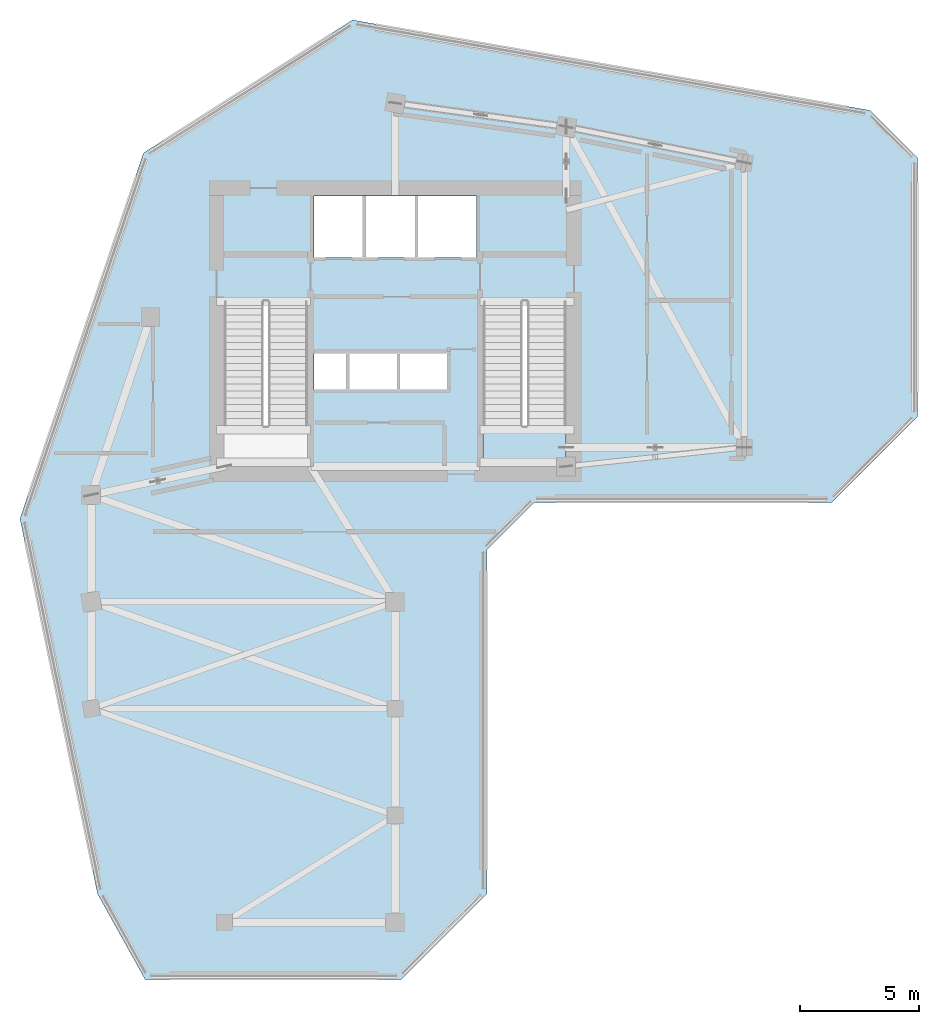
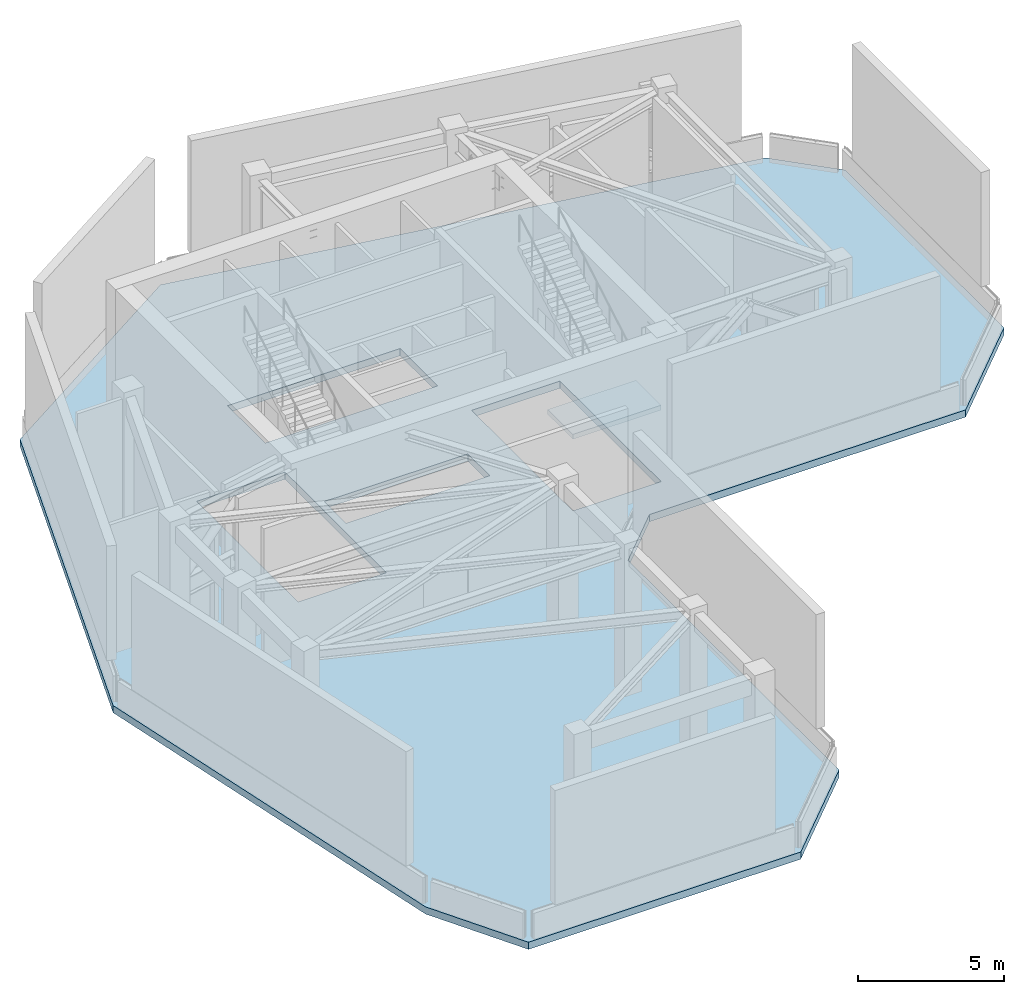
# One storey, part 4 of 10: 2 slabs, 1 element without a shape of its own.
"""IFC4 building model written with IfcOpenShell, lengths in metres."""

from ifc_helpers import new_model, si_unit, direction, frame, origin, place, context, subcontext, project, spatial, polyline, outline, extrude, material, layer, layer_set, type_object, element, aggregate, save


model = new_model("IFC4")

# Units and contexts
model_context = context("Model", 3, precision=1e-05, world=origin(), true_north=direction((0.0, 1.0)))
body_context = subcontext(model_context, "Body", "Model", "MODEL_VIEW")
ifc_project = project(units=[si_unit("LENGTHUNIT", "METRE"), si_unit("AREAUNIT", "SQUARE_METRE"), si_unit("VOLUMEUNIT", "CUBIC_METRE"), si_unit("PLANEANGLEUNIT", "RADIAN"), si_unit("MASSUNIT", "GRAM", prefix="KILO")], contexts=[model_context])

# Site, building, storey
site_placement = place(None, origin())
site = spatial("IfcSite", under=ifc_project, at=site_placement, CompositionType="ELEMENT")
building_placement = place(site_placement, origin())
building = spatial("IfcBuilding", under=site, at=building_placement, Name="Calvemar Wedge Station Tower", CompositionType="ELEMENT")
storey_placement = place(building_placement, frame((0.0, 0.0, 242.89990234375)))
storey = spatial("IfcBuildingStorey", under=building, at=storey_placement, Name="L62", CompositionType="ELEMENT", Elevation=242.89990234375)

# Slab
ifc_material_1 = material(Name="Concrete C50", Category="concrete")
ifc_layer_1 = layer(ifc_material_1, 0.300048828125)
ifc_layer_set_1 = layer_set([ifc_layer_1], Name="Concrete C50")
slab_type_1 = type_object("IfcSlabType", Name="SL-REF-300", PredefinedType="FLOOR", material=ifc_layer_set_1)
slab_1_placement = place(storey_placement, frame((0.0, 0.0, -0.2998046875)))
element("IfcSlab", 1, at=slab_1_placement, inside=storey, type_object=slab_type_1, Name="Storey L62 Structural Floor Slab", PredefinedType="FLOOR", context=body_context, shape_type="SweptSolid", body=[
    extrude(outline(polyline([(8.0, 32.0), (11.263916015625, 16.199951171875), (13.263916015625, 12.60009765625), (24.06396484375, 12.60009765625), (27.6640625, 16.199951171875), (27.6640625, 30.69189453125), (29.6640625, 32.69189453125), (42.199951171875, 32.69189453125), (45.800048828125, 36.2919921875), (45.800048828125, 47.19189453125), (43.800048828125, 49.19189453125), (22.0, 53.0), (13.199951171875, 47.39990234375), (8.0, 32.0)]), holes=[polyline([(20.10009765625, 34.199951171875), (20.10009765625, 41.14990234375), (16.60009765625, 41.14990234375), (16.60009765625, 34.199951171875), (20.10009765625, 34.199951171875)]), polyline([(27.5, 34.199951171875), (31.0, 34.199951171875), (31.0, 41.14990234375), (27.5, 41.14990234375), (27.5, 34.199951171875)]), polyline([(21.800048828125, 37.449951171875), (23.929931640625, 37.449951171875), (23.93994140625, 37.449951171875), (26.080078125, 37.449951171875), (26.080078125, 38.949951171875), (23.93994140625, 38.949951171875), (23.929931640625, 38.949951171875), (21.800048828125, 38.949951171875), (21.7900390625, 38.949951171875), (20.3798828125, 38.949951171875), (20.3798828125, 37.449951171875), (21.7900390625, 37.449951171875), (21.800048828125, 37.449951171875)]), polyline([(27.219970703125, 43.0), (27.219970703125, 45.580078125), (20.3798828125, 45.580078125), (20.3798828125, 43.0), (27.219970703125, 43.0)])]), origin(), (0.0, 0.0, 1.0), 0.2998046875),
])

# Stair, slab
ifc_material_2 = material(Name="Concrete C45", Category="concrete")
stair_type = type_object("IfcStairType", Name="ST-TYPE-6400", PredefinedType="HALF_TURN_STAIR", material=ifc_material_2)
stair_placement = place(storey_placement, origin())
stair = element("IfcStair", 2, at=stair_placement, inside=storey, type_object=stair_type, Name="L62 Pressurized Core Exit Stair ST-C2", PredefinedType="HALF_TURN_STAIR")
ifc_layer_2 = layer(ifc_material_2, 0.199951171875)
ifc_layer_set_2 = layer_set([ifc_layer_2], Name="Concrete C45")
slab_type_2 = type_object("IfcSlabType", Name="SL-STAIR-LND-200", PredefinedType="LANDING", material=ifc_layer_set_2)
slab_2_placement = place(storey_placement, frame((0.0, 0.0, 3.0)))
slab_2 = element("IfcSlab", 3, at=slab_2_placement, type_object=slab_type_2, Name="ST-C2 landing 1", PredefinedType="LANDING", context=body_context, shape_type="SweptSolid", body=[
    extrude(outline(polyline([(27.5, 35.929931640625), (27.5, 34.199951171875), (31.0, 34.199951171875), (31.0, 35.929931640625), (27.5, 35.929931640625)])), origin(), (0.0, 0.0, 1.0), 0.2001953125),
])
aggregate(stair, [slab_2])

save(model, "model.ifc")
